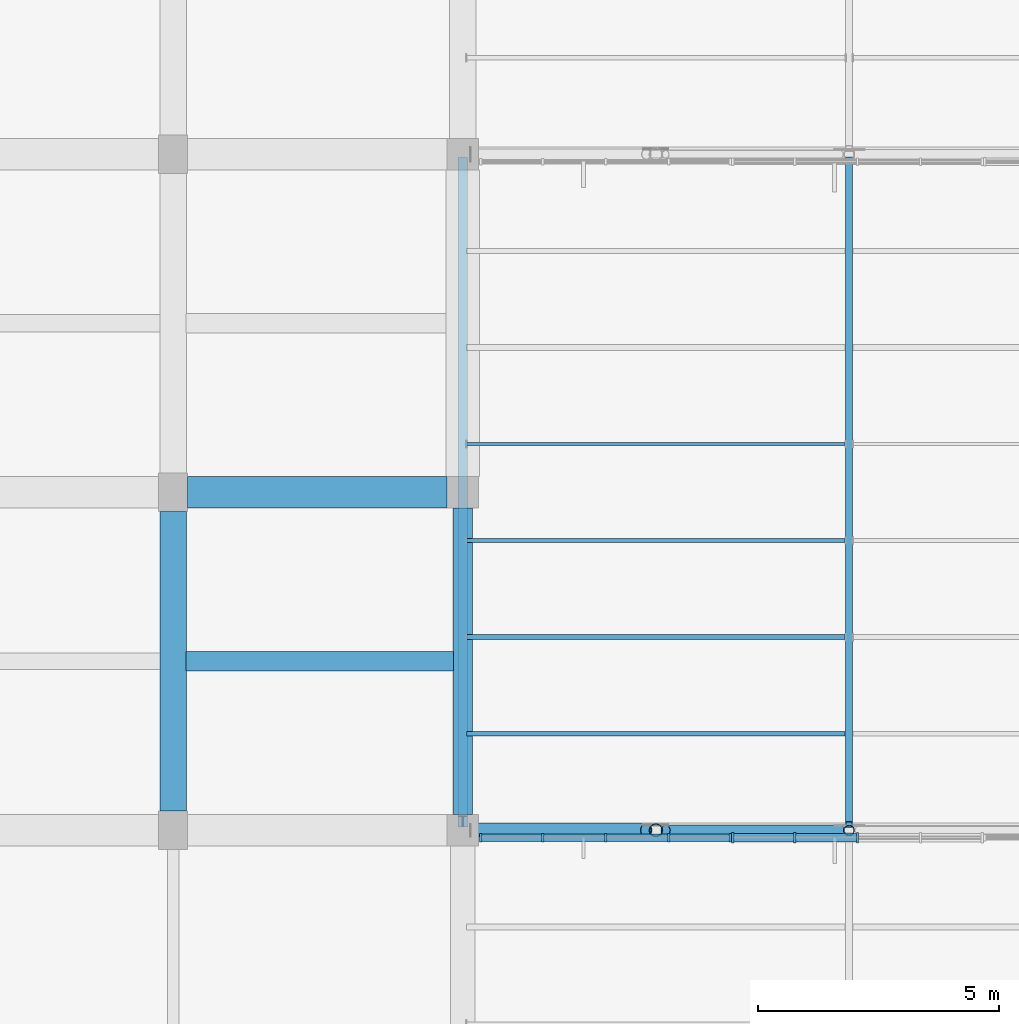
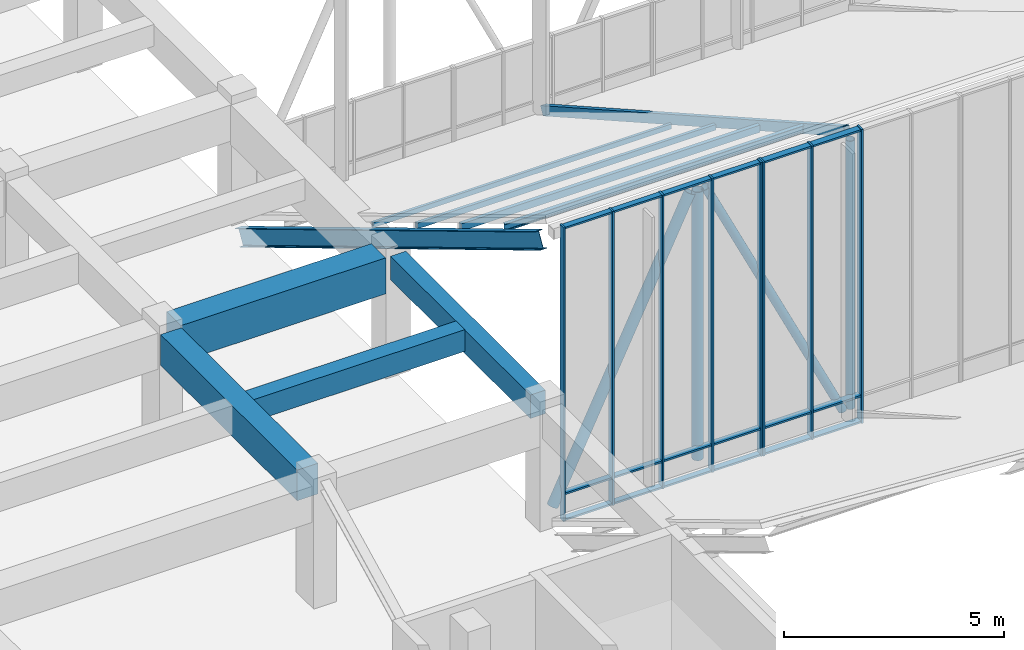
# One storey, part 50 of 155: 35 members, 5 beams, 2 elements without a shape of their own.
"""IFC4 building model written with IfcOpenShell, lengths in metres."""

import ifcopenshell
import ifcopenshell.guid

model = None  # the IFC model being written
_history = None  # IfcOwnerHistory: only IFC2X3 demands one
_inside = {}  # id of a spatial element -> (the spatial element, [elements in it])
_under = {}  # id of a project, library or spatial element -> (it, [spatial elements below it])
_declared = {}  # id of a project -> (the project, [libraries it declares])
_typed = {}  # id of a type object -> (the type object, [elements of that type])
_made_of = {}  # id of a material, layer set ... -> (it, [elements and type objects made of it])


def new_model(schema):
    """Start an empty IFC model of exactly this schema.

    Asked for "IFC4X3", IfcOpenShell would pick the latest addendum, in which some entities
    have other attributes; the version numbers below select the first issue.
    IFC2X3 requires an IfcOwnerHistory on every rooted entity: one is made here for all.
    """
    global model, _history
    if schema == "IFC4X3":
        model = ifcopenshell.file(schema_version=(4, 3, 0, 0))
    else:
        model = ifcopenshell.file(schema=schema)
    _inside.clear()
    _under.clear()
    _declared.clear()
    _typed.clear()
    _made_of.clear()
    _history = None
    if model.schema == "IFC2X3":
        org = make("IfcOrganization", Name="unknown")
        user = make(
            "IfcPersonAndOrganization",
            ThePerson=make("IfcPerson", FamilyName="unknown"),
            TheOrganization=org,
        )
        app = make(
            "IfcApplication",
            ApplicationDeveloper=org,
            Version="unknown",
            ApplicationFullName="unknown",
            ApplicationIdentifier="unknown",
        )
        _history = make(
            "IfcOwnerHistory",
            OwningUser=user,
            OwningApplication=app,
            ChangeAction="ADDED",
            CreationDate=0,
        )
    return model


def make(cls, **values):
    """One entity of the class cls with the attributes given. An attribute that is None is left unset."""
    return model.create_entity(
        cls, **{name: value for name, value in values.items() if value is not None}
    )


def rooted(cls, **values):
    """An entity with a GlobalId (a new one), such as an element, a storey or a relation."""
    return make(cls, GlobalId=ifcopenshell.guid.new(), OwnerHistory=_history, **values)


def si_unit(unit_type, name, prefix=None):
    """IfcSIUnit, for example si_unit("LENGTHUNIT", "METRE", prefix="MILLI")."""
    return make("IfcSIUnit", UnitType=unit_type, Prefix=prefix, Name=name)


def assignment(units):
    """IfcUnitAssignment: the units of a project."""
    return None if units is None else make("IfcUnitAssignment", Units=units)


def point(xyz):
    """IfcCartesianPoint."""
    return None if xyz is None else make("IfcCartesianPoint", Coordinates=xyz)


def direction(xyz):
    """IfcDirection."""
    return None if xyz is None else make("IfcDirection", DirectionRatios=xyz)


def frame(location, z_axis=None, x_axis=None):
    """IfcAxis2Placement3D, a coordinate frame: its origin and axes. An axis left out is left unset."""
    return make(
        "IfcAxis2Placement3D",
        Location=point(location),
        Axis=direction(z_axis),
        RefDirection=direction(x_axis),
    )


def frame_2d(location, x_axis=None):
    """IfcAxis2Placement2D, a coordinate frame in the plane: its origin and x axis."""
    return make(
        "IfcAxis2Placement2D", Location=point(location), RefDirection=direction(x_axis)
    )


def origin():
    """The frame at (0, 0, 0) with its axes left unset."""
    return frame((0.0, 0.0, 0.0))


def origin_2d():
    """The frame at (0, 0) in the plane with its x axis left unset."""
    return frame_2d((0.0, 0.0))


def place(relative_to, where):
    """IfcLocalPlacement: puts the frame where relative to a parent placement (None: the world)."""
    return make(
        "IfcLocalPlacement", PlacementRelTo=relative_to, RelativePlacement=where
    )


def context(
    kind, dimensions, precision=None, world=None, true_north=None, identifier=None
):
    """IfcGeometricRepresentationContext, for example the 3D "Model" context."""
    return make(
        "IfcGeometricRepresentationContext",
        ContextIdentifier=identifier,
        ContextType=kind,
        CoordinateSpaceDimension=dimensions,
        Precision=precision,
        WorldCoordinateSystem=world,
        TrueNorth=true_north,
    )


def subcontext(parent, identifier, kind, view, scale=None):
    """IfcGeometricRepresentationSubContext, for example "Body" below "Model"."""
    return make(
        "IfcGeometricRepresentationSubContext",
        ContextIdentifier=identifier,
        ContextType=kind,
        ParentContext=parent,
        TargetScale=scale,
        TargetView=view,
    )


def project(units=None, contexts=None):
    """IfcProject with its units and contexts."""
    return rooted(
        "IfcProject",
        Name="project",
        RepresentationContexts=contexts,
        UnitsInContext=assignment(units),
    )


def spatial(cls, under=None, at=None, **own):
    """A site, building, storey or space (cls), placed at a placement, below another one or the project."""
    s = rooted(cls, ObjectPlacement=at, **own)
    if under is not None:
        _under.setdefault(under.id(), (under, []))[1].append(s)
    return s


def profile(cls, at=None, kind="AREA", **sizes):
    """A parametric profile (cls). Its sizes go by their IFC names, for example OverallWidth=200.0."""
    return make(cls, ProfileType=kind, Position=at, **sizes)


def rectangle(**sizes):
    """IfcRectangleProfileDef."""
    return profile("IfcRectangleProfileDef", **sizes)


def hollow_rectangle(**sizes):
    """IfcRectangleHollowProfileDef."""
    return profile("IfcRectangleHollowProfileDef", **sizes)


def hollow_circle(**sizes):
    """IfcCircleHollowProfileDef."""
    return profile("IfcCircleHollowProfileDef", **sizes)


def i_section(**sizes):
    """IfcIShapeProfileDef."""
    return profile("IfcIShapeProfileDef", **sizes)


def extrude(swept, where, along, depth):
    """IfcExtrudedAreaSolid: the profile swept, set in the frame where, extruded along a direction by depth."""
    return make(
        "IfcExtrudedAreaSolid",
        SweptArea=swept,
        Position=where,
        ExtrudedDirection=direction(along),
        Depth=depth,
    )


def shape(context_of_items, identifier, shape_type, items):
    """IfcShapeRepresentation: the items that make up one representation, for example the "Body"."""
    return make(
        "IfcShapeRepresentation",
        ContextOfItems=context_of_items,
        RepresentationIdentifier=identifier,
        RepresentationType=shape_type,
        Items=items,
    )


def material(Name=None, Category=None):
    """IfcMaterial."""
    return make("IfcMaterial", Name=Name, Category=Category)


def material_profile(
    of_material, cross_section, Name=None, Category=None, Priority=None
):
    """IfcMaterialProfile: a cross section and its material."""
    return make(
        "IfcMaterialProfile",
        Name=Name,
        Material=of_material,
        Profile=cross_section,
        Priority=Priority,
        Category=Category,
    )


def profile_set(profiles, Name=None, composite=None):
    """IfcMaterialProfileSet."""
    return make(
        "IfcMaterialProfileSet",
        Name=Name,
        MaterialProfiles=profiles,
        CompositeProfile=composite,
    )


def made_of(thing, what):
    """Note that an element or type object is made of a material, layer set ...; save() writes the relation."""
    if what is not None:
        _made_of.setdefault(what.id(), (what, []))[1].append(thing)
    return thing


def type_object(cls, material=None, **own):
    """A type object (cls), such as IfcWallType, which elements share."""
    return made_of(rooted(cls, **own), material)


def element(
    cls,
    number,
    at=None,
    inside=None,
    cuts=None,
    type_object=None,
    material=None,
    context=None,
    identifier="Body",
    shape_type=None,
    held_by="IfcProductDefinitionShape",
    body=None,
    shapes=None,
    **own,
):
    """One element of the class cls, such as IfcWall. Its Tag is "e" and its number.

    at: its placement. inside: the storey or other place that contains it. cuts: it is an
    opening in that element (IfcRelVoidsElement). A single representation is given by context,
    identifier, shape_type and body (its items); several are given by shapes. held_by: the class
    of the entity that holds the representations. save() writes the other relations.
    """
    e = rooted(cls, Tag="e%d" % number, ObjectPlacement=at, **own)
    if body is not None:
        shapes = [shape(context, identifier, shape_type, body)]
    if shapes is not None:
        e.Representation = make(held_by, Representations=shapes)
    if inside is not None:
        _inside.setdefault(inside.id(), (inside, []))[1].append(e)
    if cuts is not None:
        rooted(
            "IfcRelVoidsElement", RelatingBuildingElement=cuts, RelatedOpeningElement=e
        )
    if type_object is not None:
        _typed.setdefault(type_object.id(), (type_object, []))[1].append(e)
    return made_of(e, material)


def aggregate(whole, parts):
    """IfcRelAggregates: a whole, such as a stair, and the parts it consists of."""
    return rooted("IfcRelAggregates", RelatingObject=whole, RelatedObjects=parts)


def save(model, path):
    """Write the relations noted so far, then the file.

    IfcRelAggregates (storeys below a building ...), IfcRelContainedInSpatialStructure (elements
    in a storey), IfcRelDefinesByType, IfcRelAssociatesMaterial and IfcRelDeclares: one each for
    every whole, place, type object, material and project.
    """
    for whole, parts in _under.values():
        aggregate(whole, parts)
    for where, things in _inside.values():
        rooted(
            "IfcRelContainedInSpatialStructure",
            RelatedElements=things,
            RelatingStructure=where,
        )
    for kind, things in _typed.values():
        rooted("IfcRelDefinesByType", RelatedObjects=things, RelatingType=kind)
    for what, things in _made_of.values():
        rooted("IfcRelAssociatesMaterial", RelatedObjects=things, RelatingMaterial=what)
    for by, libraries in _declared.values():
        rooted("IfcRelDeclares", RelatingContext=by, RelatedDefinitions=libraries)
    model.write(path)


model = new_model("IFC4")

# Units and contexts
model_context = context("Model", 3, precision=1e-05, world=origin(), true_north=direction((0.0, 1.0)))
body_context = subcontext(model_context, "Body", "Model", "MODEL_VIEW")
ifc_project = project(units=[si_unit("LENGTHUNIT", "METRE"), si_unit("AREAUNIT", "SQUARE_METRE"), si_unit("VOLUMEUNIT", "CUBIC_METRE"), si_unit("PLANEANGLEUNIT", "RADIAN"), si_unit("MASSUNIT", "GRAM", prefix="KILO")], contexts=[model_context])

# Site, building, storey
site_placement = place(None, origin())
site = spatial("IfcSite", under=ifc_project, at=site_placement, CompositionType="ELEMENT")
building_placement = place(site_placement, origin())
building = spatial("IfcBuilding", under=site, at=building_placement, Name="Larkveld Mobility Hub", CompositionType="ELEMENT")
storey_placement = place(building_placement, frame((0.0, 0.0, 8.39990234375)))
storey = spatial("IfcBuildingStorey", under=building, at=storey_placement, Name="L02", CompositionType="ELEMENT", Elevation=8.39990234375)

# Beams
ifc_material_1 = material(Name="Concrete C40/50", Category="concrete")
ifc_material_profile_1 = material_profile(ifc_material_1, rectangle(XDim=0.39990234375, YDim=0.60009765625, at=origin_2d()), Name="RC BM 400x600")
ifc_profile_set_1 = profile_set([ifc_material_profile_1], Name="Concrete C40/50")
beam_type_1 = type_object("IfcBeamType", Name="BM-RC4060", PredefinedType="BEAM", material=ifc_profile_set_1)
beam_1_placement = place(storey_placement, frame((146.27001953125, 73.5, 3.070068359375), z_axis=(1.0, 0.0, 0.0), x_axis=(0.0, 1.0, 0.0)))
element("IfcBeam", 1, at=beam_1_placement, inside=storey, type_object=beam_type_1, Name="Concourse Spine Joist L02-1093", PredefinedType="BEAM", context=body_context, shape_type="SweptSolid", body=[
    extrude(rectangle(XDim=0.39990234375, YDim=0.60009765625, at=origin_2d()), origin(), (0.0, 0.0, 1.0), 5.534912109375),
])
ifc_material_profile_2 = material_profile(ifc_material_1, rectangle(XDim=0.39990234375, YDim=0.64990234375, at=origin_2d()), Name="RC BM 400x650")
ifc_profile_set_2 = profile_set([ifc_material_profile_2], Name="Concrete C40/50")
beam_type_2 = type_object("IfcBeamType", Name="BM-RC4065", PredefinedType="BEAM", material=ifc_profile_set_2)
beam_2_placement = place(storey_placement, frame((152.0, 70.324951171875, 3.03515625), z_axis=(0.0, 1.0, 0.0), x_axis=(-1.0, 0.0, 0.0)))
element("IfcBeam", 2, at=beam_2_placement, inside=storey, type_object=beam_type_2, Name="Primary N-S Girder L02-0680", PredefinedType="BEAM", context=body_context, shape_type="SweptSolid", body=[
    extrude(rectangle(XDim=0.39990234375, YDim=0.64990234375, at=origin_2d()), origin(), (0.0, 0.0, 1.0), 6.35009765625),
])
ifc_material_profile_3 = material_profile(ifc_material_1, rectangle(XDim=0.550048828125, YDim=0.85009765625, at=origin_2d()), Name="RC BM 550x850")
ifc_profile_set_3 = profile_set([ifc_material_profile_3], Name="Concrete C40/50")
beam_type_3 = type_object("IfcBeamType", Name="BM-RC5585", PredefinedType="BEAM", material=ifc_profile_set_3)
beam_3_placement = place(storey_placement, frame((146.0, 70.39990234375, 2.93505859375), z_axis=(0.0, 1.0, 0.0), x_axis=(-1.0, 0.0, 0.0)))
element("IfcBeam", 3, at=beam_3_placement, inside=storey, type_object=beam_type_3, Name="Primary N-S Girder L02-0665", PredefinedType="BEAM", context=body_context, shape_type="SweptSolid", body=[
    extrude(rectangle(XDim=0.550048828125, YDim=0.85009765625, at=origin_2d()), origin(), (0.0, 0.0, 1.0), 6.2001953125),
])
ifc_material_profile_4 = material_profile(ifc_material_1, rectangle(XDim=0.64990234375, YDim=1.0, at=origin_2d()), Name="RC BM 650x1000")
ifc_profile_set_4 = profile_set([ifc_material_profile_4], Name="Concrete C40/50")
beam_type_4 = type_object("IfcBeamType", Name="BM-RC65100", PredefinedType="BEAM", material=ifc_profile_set_4)
beam_4_placement = place(storey_placement, frame((146.300048828125, 77.0, 2.860107421875), z_axis=(1.0, 0.0, 0.0), x_axis=(0.0, 1.0, 0.0)))
element("IfcBeam", 4, at=beam_4_placement, inside=storey, type_object=beam_type_4, Name="Primary E-W Girder L02-0525", PredefinedType="BEAM", context=body_context, shape_type="SweptSolid", body=[
    extrude(rectangle(XDim=0.64990234375, YDim=1.0, at=origin_2d()), origin(), (0.0, 0.0, 1.0), 5.375),
])
ifc_material_2 = material(Name="Steel S355JR", Category="steel")
ifc_material_profile_5 = material_profile(ifc_material_2, i_section(OverallWidth=0.18994140625, OverallDepth=0.449951171875, WebThickness=0.009521484375, FlangeThickness=0.0146484375, FilletRadius=0.02099609375, at=origin_2d()), Name="IPE 450")
ifc_profile_set_5 = profile_set([ifc_material_profile_5], Name="Steel S355JR")
beam_type_5 = type_object("IfcBeamType", Name="BM-STIPE450", PredefinedType="BEAM", material=ifc_profile_set_5)
beam_5_placement = place(storey_placement, frame((152.0, 70.179931640625, 7.68408203125), z_axis=(0.0, 0.857492925713, -0.514495755428), x_axis=(-1.0, 0.0, 0.0)))
element("IfcBeam", 5, at=beam_5_placement, inside=storey, type_object=beam_type_5, Name="ROOF TRUSS Sawtooth Edge Rafter B4-152", PredefinedType="BEAM", context=body_context, shape_type="SweptSolid", body=[
    extrude(i_section(OverallWidth=0.18994140625, OverallDepth=0.449951171875, WebThickness=0.009521484375, FlangeThickness=0.0146484375, FilletRadius=0.02099609375, at=origin_2d()), origin(), (0.0, 0.0, 1.0), 15.906982421875),
])

# Curtain wall, members
ifc_material_3 = material(Name="Anodised aluminium 6063-T6", Category="aluminium")
curtain_wall_type_1 = type_object("IfcCurtainWallType", Name="CW-SYS-02", PredefinedType="NOTDEFINED", material=ifc_material_3)
curtain_wall_1_placement = place(storey_placement, origin())
curtain_wall_1 = element("IfcCurtainWall", 6, at=curtain_wall_1_placement, inside=storey, type_object=curtain_wall_type_1, Name="Sawtooth South-Light Clerestory B4 CW-026", PredefinedType="NOTDEFINED")
ifc_material_profile_6 = material_profile(ifc_material_3, rectangle(XDim=0.050048828125, YDim=0.179931640625, at=origin_2d()), Name="ALU MULL 50x180")
ifc_profile_set_6 = profile_set([ifc_material_profile_6], Name="Anodised aluminium 6063-T6")
member_type_1 = type_object("IfcMemberType", Name="CW-MUL-02", PredefinedType="MULLION", material=ifc_profile_set_6)
member_1_placement = place(storey_placement, frame((152.375, 69.844970703125, -0.001953125), z_axis=(0.0, 0.0, 1.0), x_axis=(1.0, 0.0, 0.0)))
member_1 = element("IfcMember", 7, at=member_1_placement, type_object=member_type_1, Name="CW02 mullion 1", PredefinedType="MULLION", context=body_context, shape_type="SweptSolid", body=[
    extrude(rectangle(XDim=0.050048828125, YDim=0.179931640625, at=origin_2d()), origin(), (0.0, 0.0, 1.0), 8.152099609375),
])
member_2_placement = place(storey_placement, frame((153.654052734375, 69.844970703125, -0.001953125), z_axis=(0.0, 0.0, 1.0), x_axis=(1.0, 0.0, 0.0)))
member_2 = element("IfcMember", 8, at=member_2_placement, type_object=member_type_1, Name="CW02 mullion 2", PredefinedType="MULLION", context=body_context, shape_type="SweptSolid", body=[
    extrude(rectangle(XDim=0.050048828125, YDim=0.179931640625, at=origin_2d()), origin(), (0.0, 0.0, 1.0), 8.152099609375),
])
member_3_placement = place(storey_placement, frame((154.9580078125, 69.844970703125, -0.001953125), z_axis=(0.0, 0.0, 1.0), x_axis=(1.0, 0.0, 0.0)))
member_3 = element("IfcMember", 9, at=member_3_placement, type_object=member_type_1, Name="CW02 mullion 3", PredefinedType="MULLION", context=body_context, shape_type="SweptSolid", body=[
    extrude(rectangle(XDim=0.050048828125, YDim=0.179931640625, at=origin_2d()), origin(), (0.0, 0.0, 1.0), 8.152099609375),
])
member_4_placement = place(storey_placement, frame((156.261962890625, 69.844970703125, -0.001953125), z_axis=(0.0, 0.0, 1.0), x_axis=(1.0, 0.0, 0.0)))
member_4 = element("IfcMember", 10, at=member_4_placement, type_object=member_type_1, Name="CW02 mullion 4", PredefinedType="MULLION", context=body_context, shape_type="SweptSolid", body=[
    extrude(rectangle(XDim=0.050048828125, YDim=0.179931640625, at=origin_2d()), origin(), (0.0, 0.0, 1.0), 8.152099609375),
])
member_5_placement = place(storey_placement, frame((157.5419921875, 69.844970703125, -0.001953125), z_axis=(0.0, 0.0, 1.0), x_axis=(1.0, 0.0, 0.0)))
member_5 = element("IfcMember", 11, at=member_5_placement, type_object=member_type_1, Name="CW02 mullion 5", PredefinedType="MULLION", context=body_context, shape_type="SweptSolid", body=[
    extrude(rectangle(XDim=0.050048828125, YDim=0.179931640625, at=origin_2d()), origin(), (0.0, 0.0, 1.0), 8.152099609375),
])

curtain_wall_type_2 = type_object("IfcCurtainWallType", Name="CW-SYS-03", PredefinedType="NOTDEFINED", material=ifc_material_3)
curtain_wall_2_placement = place(storey_placement, origin())
curtain_wall_2 = element("IfcCurtainWall", 12, at=curtain_wall_2_placement, inside=storey, type_object=curtain_wall_type_2, Name="Sawtooth South-Light Clerestory B4 CW-027", PredefinedType="NOTDEFINED")
ifc_material_profile_7 = material_profile(ifc_material_3, rectangle(XDim=0.050048828125, YDim=0.2099609375, at=origin_2d()), Name="ALU MULL 50x210")
ifc_profile_set_7 = profile_set([ifc_material_profile_7], Name="Anodised aluminium 6063-T6")
member_type_2 = type_object("IfcMemberType", Name="CW-MUL-03", PredefinedType="MULLION", material=ifc_profile_set_7)
member_6_placement = place(storey_placement, frame((157.592041015625, 69.844970703125, -0.001953125), z_axis=(0.0, 0.0, 1.0), x_axis=(1.0, 0.0, 0.0)))
member_6 = element("IfcMember", 13, at=member_6_placement, type_object=member_type_2, Name="CW03 mullion 1", PredefinedType="MULLION", context=body_context, shape_type="SweptSolid", body=[
    extrude(rectangle(XDim=0.050048828125, YDim=0.2099609375, at=origin_2d()), origin(), (0.0, 0.0, 1.0), 8.152099609375),
])
member_7_placement = place(storey_placement, frame((158.87109375, 69.844970703125, -0.001953125), z_axis=(0.0, 0.0, 1.0), x_axis=(1.0, 0.0, 0.0)))
member_7 = element("IfcMember", 14, at=member_7_placement, type_object=member_type_2, Name="CW03 mullion 2", PredefinedType="MULLION", context=body_context, shape_type="SweptSolid", body=[
    extrude(rectangle(XDim=0.050048828125, YDim=0.2099609375, at=origin_2d()), origin(), (0.0, 0.0, 1.0), 8.152099609375),
])
member_8_placement = place(storey_placement, frame((160.175048828125, 69.844970703125, -0.001953125), z_axis=(0.0, 0.0, 1.0), x_axis=(1.0, 0.0, 0.0)))
member_8 = element("IfcMember", 15, at=member_8_placement, type_object=member_type_2, Name="CW03 mullion 3", PredefinedType="MULLION", context=body_context, shape_type="SweptSolid", body=[
    extrude(rectangle(XDim=0.050048828125, YDim=0.2099609375, at=origin_2d()), origin(), (0.0, 0.0, 1.0), 8.152099609375),
])

# Member
ifc_material_profile_8 = material_profile(ifc_material_3, rectangle(XDim=0.14990234375, YDim=0.050048828125, at=origin_2d()), Name="ALU TRAN 50x150")
ifc_profile_set_8 = profile_set([ifc_material_profile_8], Name="Anodised aluminium 6063-T6")
member_type_3 = type_object("IfcMemberType", Name="CW-TRN-02", PredefinedType="USERDEFINED", material=ifc_profile_set_8)
member_9_placement = place(storey_placement, frame((152.385009765625, 69.844970703125, 0.030029296875), z_axis=(1.0, 0.0, 0.0), x_axis=(0.0, 1.0, 0.0)))
member_9 = element("IfcMember", 16, at=member_9_placement, type_object=member_type_3, Name="CW02 transom 1.1", ObjectType="TRANSOM", PredefinedType="USERDEFINED", context=body_context, shape_type="SweptSolid", body=[
    extrude(rectangle(XDim=0.14990234375, YDim=0.050048828125, at=origin_2d()), origin(), (0.0, 0.0, 1.0), 1.25390625),
])

member_10_placement = place(storey_placement, frame((152.385009765625, 69.844970703125, 0.75), z_axis=(1.0, 0.0, 0.0), x_axis=(0.0, 1.0, 0.0)))
member_10 = element("IfcMember", 17, at=member_10_placement, type_object=member_type_3, Name="CW02 transom 1.2", ObjectType="TRANSOM", PredefinedType="USERDEFINED", context=body_context, shape_type="SweptSolid", body=[
    extrude(rectangle(XDim=0.14990234375, YDim=0.050048828125, at=origin_2d()), origin(), (0.0, 0.0, 1.0), 1.25390625),
])

member_11_placement = place(storey_placement, frame((152.385009765625, 69.844970703125, 8.1181640625), z_axis=(1.0, 0.0, 0.0), x_axis=(0.0, 1.0, 0.0)))
member_11 = element("IfcMember", 18, at=member_11_placement, type_object=member_type_3, Name="CW02 transom 1.3", ObjectType="TRANSOM", PredefinedType="USERDEFINED", context=body_context, shape_type="SweptSolid", body=[
    extrude(rectangle(XDim=0.14990234375, YDim=0.050048828125, at=origin_2d()), origin(), (0.0, 0.0, 1.0), 1.25390625),
])

member_12_placement = place(storey_placement, frame((153.6689453125, 69.844970703125, 0.030029296875), z_axis=(1.0, 0.0, 0.0), x_axis=(0.0, 1.0, 0.0)))
member_12 = element("IfcMember", 19, at=member_12_placement, type_object=member_type_3, Name="CW02 transom 2.1", ObjectType="TRANSOM", PredefinedType="USERDEFINED", context=body_context, shape_type="SweptSolid", body=[
    extrude(rectangle(XDim=0.14990234375, YDim=0.050048828125, at=origin_2d()), origin(), (0.0, 0.0, 1.0), 1.274169921875),
])

member_13_placement = place(storey_placement, frame((153.6689453125, 69.844970703125, 0.75), z_axis=(1.0, 0.0, 0.0), x_axis=(0.0, 1.0, 0.0)))
member_13 = element("IfcMember", 20, at=member_13_placement, type_object=member_type_3, Name="CW02 transom 2.2", ObjectType="TRANSOM", PredefinedType="USERDEFINED", context=body_context, shape_type="SweptSolid", body=[
    extrude(rectangle(XDim=0.14990234375, YDim=0.050048828125, at=origin_2d()), origin(), (0.0, 0.0, 1.0), 1.274169921875),
])

member_14_placement = place(storey_placement, frame((153.6689453125, 69.844970703125, 8.1181640625), z_axis=(1.0, 0.0, 0.0), x_axis=(0.0, 1.0, 0.0)))
member_14 = element("IfcMember", 21, at=member_14_placement, type_object=member_type_3, Name="CW02 transom 2.3", ObjectType="TRANSOM", PredefinedType="USERDEFINED", context=body_context, shape_type="SweptSolid", body=[
    extrude(rectangle(XDim=0.14990234375, YDim=0.050048828125, at=origin_2d()), origin(), (0.0, 0.0, 1.0), 1.274169921875),
])

member_15_placement = place(storey_placement, frame((154.972900390625, 69.844970703125, 0.030029296875), z_axis=(1.0, 0.0, 0.0), x_axis=(0.0, 1.0, 0.0)))
member_15 = element("IfcMember", 22, at=member_15_placement, type_object=member_type_3, Name="CW02 transom 3.1", ObjectType="TRANSOM", PredefinedType="USERDEFINED", context=body_context, shape_type="SweptSolid", body=[
    extrude(rectangle(XDim=0.14990234375, YDim=0.050048828125, at=origin_2d()), origin(), (0.0, 0.0, 1.0), 1.275146484375),
])

member_16_placement = place(storey_placement, frame((154.972900390625, 69.844970703125, 0.75), z_axis=(1.0, 0.0, 0.0), x_axis=(0.0, 1.0, 0.0)))
member_16 = element("IfcMember", 23, at=member_16_placement, type_object=member_type_3, Name="CW02 transom 3.2", ObjectType="TRANSOM", PredefinedType="USERDEFINED", context=body_context, shape_type="SweptSolid", body=[
    extrude(rectangle(XDim=0.14990234375, YDim=0.050048828125, at=origin_2d()), origin(), (0.0, 0.0, 1.0), 1.275146484375),
])

member_17_placement = place(storey_placement, frame((154.972900390625, 69.844970703125, 8.1181640625), z_axis=(1.0, 0.0, 0.0), x_axis=(0.0, 1.0, 0.0)))
member_17 = element("IfcMember", 24, at=member_17_placement, type_object=member_type_3, Name="CW02 transom 3.3", ObjectType="TRANSOM", PredefinedType="USERDEFINED", context=body_context, shape_type="SweptSolid", body=[
    extrude(rectangle(XDim=0.14990234375, YDim=0.050048828125, at=origin_2d()), origin(), (0.0, 0.0, 1.0), 1.275146484375),
])

member_18_placement = place(storey_placement, frame((156.278076171875, 69.844970703125, 0.030029296875), z_axis=(1.0, 0.0, 0.0), x_axis=(0.0, 1.0, 0.0)))
member_18 = element("IfcMember", 25, at=member_18_placement, type_object=member_type_3, Name="CW02 transom 4.1", ObjectType="TRANSOM", PredefinedType="USERDEFINED", context=body_context, shape_type="SweptSolid", body=[
    extrude(rectangle(XDim=0.14990234375, YDim=0.050048828125, at=origin_2d()), origin(), (0.0, 0.0, 1.0), 1.25390625),
])

member_19_placement = place(storey_placement, frame((156.278076171875, 69.844970703125, 0.75), z_axis=(1.0, 0.0, 0.0), x_axis=(0.0, 1.0, 0.0)))
member_19 = element("IfcMember", 26, at=member_19_placement, type_object=member_type_3, Name="CW02 transom 4.2", ObjectType="TRANSOM", PredefinedType="USERDEFINED", context=body_context, shape_type="SweptSolid", body=[
    extrude(rectangle(XDim=0.14990234375, YDim=0.050048828125, at=origin_2d()), origin(), (0.0, 0.0, 1.0), 1.25390625),
])

member_20_placement = place(storey_placement, frame((156.278076171875, 69.844970703125, 8.1181640625), z_axis=(1.0, 0.0, 0.0), x_axis=(0.0, 1.0, 0.0)))
member_20 = element("IfcMember", 27, at=member_20_placement, type_object=member_type_3, Name="CW02 transom 4.3", ObjectType="TRANSOM", PredefinedType="USERDEFINED", context=body_context, shape_type="SweptSolid", body=[
    extrude(rectangle(XDim=0.14990234375, YDim=0.050048828125, at=origin_2d()), origin(), (0.0, 0.0, 1.0), 1.25390625),
])

aggregate(curtain_wall_1, [member_1, member_2, member_3, member_4, member_5, member_9, member_10, member_11, member_12, member_13, member_14, member_15, member_16, member_17, member_18, member_19, member_20])

ifc_material_profile_9 = material_profile(ifc_material_3, rectangle(XDim=0.169921875, YDim=0.050048828125, at=origin_2d()), Name="ALU TRAN 50x170")
ifc_profile_set_9 = profile_set([ifc_material_profile_9], Name="Anodised aluminium 6063-T6")
member_type_4 = type_object("IfcMemberType", Name="CW-TRN-03", PredefinedType="USERDEFINED", material=ifc_profile_set_9)
member_21_placement = place(storey_placement, frame((157.60205078125, 69.844970703125, 0.030029296875), z_axis=(1.0, 0.0, 0.0), x_axis=(0.0, 1.0, 0.0)))
member_21 = element("IfcMember", 28, at=member_21_placement, type_object=member_type_4, Name="CW03 transom 1.1", ObjectType="TRANSOM", PredefinedType="USERDEFINED", context=body_context, shape_type="SweptSolid", body=[
    extrude(rectangle(XDim=0.169921875, YDim=0.050048828125, at=origin_2d()), origin(), (0.0, 0.0, 1.0), 1.25390625),
])

member_22_placement = place(storey_placement, frame((157.60205078125, 69.844970703125, 0.75), z_axis=(1.0, 0.0, 0.0), x_axis=(0.0, 1.0, 0.0)))
member_22 = element("IfcMember", 29, at=member_22_placement, type_object=member_type_4, Name="CW03 transom 1.2", ObjectType="TRANSOM", PredefinedType="USERDEFINED", context=body_context, shape_type="SweptSolid", body=[
    extrude(rectangle(XDim=0.169921875, YDim=0.050048828125, at=origin_2d()), origin(), (0.0, 0.0, 1.0), 1.25390625),
])

member_23_placement = place(storey_placement, frame((157.60205078125, 69.844970703125, 8.1181640625), z_axis=(1.0, 0.0, 0.0), x_axis=(0.0, 1.0, 0.0)))
member_23 = element("IfcMember", 30, at=member_23_placement, type_object=member_type_4, Name="CW03 transom 1.3", ObjectType="TRANSOM", PredefinedType="USERDEFINED", context=body_context, shape_type="SweptSolid", body=[
    extrude(rectangle(XDim=0.169921875, YDim=0.050048828125, at=origin_2d()), origin(), (0.0, 0.0, 1.0), 1.25390625),
])

member_24_placement = place(storey_placement, frame((158.885986328125, 69.844970703125, 0.030029296875), z_axis=(1.0, 0.0, 0.0), x_axis=(0.0, 1.0, 0.0)))
member_24 = element("IfcMember", 31, at=member_24_placement, type_object=member_type_4, Name="CW03 transom 2.1", ObjectType="TRANSOM", PredefinedType="USERDEFINED", context=body_context, shape_type="SweptSolid", body=[
    extrude(rectangle(XDim=0.169921875, YDim=0.050048828125, at=origin_2d()), origin(), (0.0, 0.0, 1.0), 1.27392578125),
])

member_25_placement = place(storey_placement, frame((158.885986328125, 69.844970703125, 0.75), z_axis=(1.0, 0.0, 0.0), x_axis=(0.0, 1.0, 0.0)))
member_25 = element("IfcMember", 32, at=member_25_placement, type_object=member_type_4, Name="CW03 transom 2.2", ObjectType="TRANSOM", PredefinedType="USERDEFINED", context=body_context, shape_type="SweptSolid", body=[
    extrude(rectangle(XDim=0.169921875, YDim=0.050048828125, at=origin_2d()), origin(), (0.0, 0.0, 1.0), 1.27392578125),
])

member_26_placement = place(storey_placement, frame((158.885986328125, 69.844970703125, 8.1181640625), z_axis=(1.0, 0.0, 0.0), x_axis=(0.0, 1.0, 0.0)))
member_26 = element("IfcMember", 33, at=member_26_placement, type_object=member_type_4, Name="CW03 transom 2.3", ObjectType="TRANSOM", PredefinedType="USERDEFINED", context=body_context, shape_type="SweptSolid", body=[
    extrude(rectangle(XDim=0.169921875, YDim=0.050048828125, at=origin_2d()), origin(), (0.0, 0.0, 1.0), 1.27392578125),
])

aggregate(curtain_wall_2, [member_6, member_7, member_8, member_21, member_22, member_23, member_24, member_25, member_26])

# Members
ifc_material_profile_10 = material_profile(ifc_material_2, hollow_circle(Radius=0.109619140625, WallThickness=0.010009765625, at=origin_2d()), Name="CHS 219.1x10")
ifc_profile_set_10 = profile_set([ifc_material_profile_10], Name="Steel S355JR")
member_type_5 = type_object("IfcMemberType", Name="MB-BR-CHS219", PredefinedType="BRACE", material=ifc_profile_set_10)
member_27_placement = place(storey_placement, frame((156.199951171875, 70.0, 7.800048828125), z_axis=(0.435573281392, 0.0, -0.900153273914), x_axis=(0.0, 1.0, 0.0)))
element("IfcMember", 34, at=member_27_placement, inside=storey, type_object=member_type_5, Name="ROOF TRUSS T4 Web Diagonal 2", PredefinedType="BRACE", context=body_context, shape_type="SweptSolid", body=[
    extrude(hollow_circle(Radius=0.109619140625, WallThickness=0.010009765625, at=origin_2d()), origin(), (0.0, 0.0, 1.0), 8.26513671875),
])
member_28_placement = place(storey_placement, frame((160.0, 70.0, 0.360107421875), z_axis=(0.0, 0.0, 1.0), x_axis=(1.0, 0.0, 0.0)))
element("IfcMember", 35, at=member_28_placement, inside=storey, type_object=member_type_5, Name="ROOF TRUSS T4 Vertical Post 2", PredefinedType="BRACE", context=body_context, shape_type="SweptSolid", body=[
    extrude(hollow_circle(Radius=0.109619140625, WallThickness=0.010009765625, at=origin_2d()), origin(), (0.0, 0.0, 1.0), 7.43994140625),
])
ifc_material_profile_11 = material_profile(ifc_material_2, hollow_circle(Radius=0.136474609375, WallThickness=0.012451171875, at=origin_2d()), Name="CHS 273x12.5")
ifc_profile_set_11 = profile_set([ifc_material_profile_11], Name="Steel S355JR")
member_type_6 = type_object("IfcMemberType", Name="MB-BR-CHS273", PredefinedType="BRACE", material=ifc_profile_set_11)
member_29_placement = place(storey_placement, frame((152.199951171875, 70.0, 0.360107421875), z_axis=(0.435573281392, 0.0, 0.900153273914), x_axis=(0.0, 1.0, 0.0)))
element("IfcMember", 36, at=member_29_placement, inside=storey, type_object=member_type_6, Name="ROOF TRUSS T4 Web Diagonal 1", PredefinedType="BRACE", context=body_context, shape_type="SweptSolid", body=[
    extrude(hollow_circle(Radius=0.136474609375, WallThickness=0.012451171875, at=origin_2d()), origin(), (0.0, 0.0, 1.0), 8.26513671875),
])
member_30_placement = place(storey_placement, frame((156.0, 70.0, 0.360107421875), z_axis=(0.0, 0.0, 1.0), x_axis=(1.0, 0.0, 0.0)))
element("IfcMember", 37, at=member_30_placement, inside=storey, type_object=member_type_6, Name="ROOF TRUSS T4 Vertical Post 1", PredefinedType="BRACE", context=body_context, shape_type="SweptSolid", body=[
    extrude(hollow_circle(Radius=0.136474609375, WallThickness=0.012451171875, at=origin_2d()), origin(), (0.0, 0.0, 1.0), 7.43994140625),
])
ifc_material_profile_12 = material_profile(ifc_material_2, hollow_rectangle(XDim=0.14990234375, YDim=0.25, WallThickness=0.010009765625, at=origin_2d()), Name="RHS 250x150x10")
ifc_profile_set_12 = profile_set([ifc_material_profile_12], Name="Steel S355JR")
member_type_7 = type_object("IfcMemberType", Name="MB-CH-RHS250", PredefinedType="CHORD", material=ifc_profile_set_12)
member_31_placement = place(storey_placement, frame((160.0, 70.1201171875, 7.9501953125), z_axis=(0.0, 0.870759014799, -0.491710014283), x_axis=(-1.0, 0.0, 0.0)))
element("IfcMember", 38, at=member_31_placement, inside=storey, type_object=member_type_7, Name="ROOF TRUSS Sloped Rafter Chord B4-160", PredefinedType="CHORD", context=body_context, shape_type="SweptSolid", body=[
    extrude(hollow_rectangle(XDim=0.14990234375, YDim=0.25, WallThickness=0.010009765625, at=origin_2d()), origin(), (0.0, 0.0, 1.0), 15.802001953125),
])
ifc_material_profile_13 = material_profile(ifc_material_2, i_section(OverallWidth=0.10009765625, OverallDepth=0.199951171875, WebThickness=0.005615234375, FlangeThickness=0.008544921875, FilletRadius=0.011962890625, at=origin_2d()), Name="IPE 200")
ifc_profile_set_13 = profile_set([ifc_material_profile_13], Name="Steel S355JR")
member_type_8 = type_object("IfcMemberType", Name="MB-PR-IPE200", PredefinedType="PURLIN", material=ifc_profile_set_13)
member_32_placement = place(storey_placement, frame((152.080078125, 72.0, 6.906982421875), z_axis=(1.0, 0.0, 0.0), x_axis=(0.0, 1.0, 0.0)))
element("IfcMember", 39, at=member_32_placement, inside=storey, type_object=member_type_8, Name="Sawtooth Roof Purlin B4-1.1", PredefinedType="PURLIN", context=body_context, shape_type="SweptSolid", body=[
    extrude(i_section(OverallWidth=0.10009765625, OverallDepth=0.199951171875, WebThickness=0.005615234375, FlangeThickness=0.008544921875, FilletRadius=0.011962890625, at=origin_2d()), origin(), (0.0, 0.0, 1.0), 7.83984375),
])
ifc_material_profile_14 = material_profile(ifc_material_2, hollow_rectangle(XDim=0.070068359375, YDim=0.139892578125, WallThickness=0.00634765625, at=origin_2d()), Name="RHS 140x70x6.3")
ifc_profile_set_14 = profile_set([ifc_material_profile_14], Name="Steel S355JR")
member_type_9 = type_object("IfcMemberType", Name="MB-PR-RHS140", PredefinedType="PURLIN", material=ifc_profile_set_14)
member_33_placement = place(storey_placement, frame((152.080078125, 78.0, 3.337158203125), z_axis=(1.0, 0.0, 0.0), x_axis=(0.0, 1.0, 0.0)))
element("IfcMember", 40, at=member_33_placement, inside=storey, type_object=member_type_9, Name="Sawtooth Roof Purlin B4-4.1", PredefinedType="PURLIN", context=body_context, shape_type="SweptSolid", body=[
    extrude(hollow_rectangle(XDim=0.070068359375, YDim=0.139892578125, WallThickness=0.00634765625, at=origin_2d()), origin(), (0.0, 0.0, 1.0), 7.83984375),
])
ifc_material_profile_15 = material_profile(ifc_material_2, hollow_rectangle(XDim=0.080078125, YDim=0.159912109375, WallThickness=0.008056640625, at=origin_2d()), Name="RHS 160x80x8")
ifc_profile_set_15 = profile_set([ifc_material_profile_15], Name="Steel S355JR")
member_type_10 = type_object("IfcMemberType", Name="MB-PR-RHS160", PredefinedType="PURLIN", material=ifc_profile_set_15)
member_34_placement = place(storey_placement, frame((152.080078125, 76.0, 4.527099609375), z_axis=(1.0, 0.0, 0.0), x_axis=(0.0, 1.0, 0.0)))
element("IfcMember", 41, at=member_34_placement, inside=storey, type_object=member_type_10, Name="Sawtooth Roof Purlin B4-3.1", PredefinedType="PURLIN", context=body_context, shape_type="SweptSolid", body=[
    extrude(hollow_rectangle(XDim=0.080078125, YDim=0.159912109375, WallThickness=0.008056640625, at=origin_2d()), origin(), (0.0, 0.0, 1.0), 7.83984375),
])
ifc_material_profile_16 = material_profile(ifc_material_2, hollow_rectangle(XDim=0.10009765625, YDim=0.199951171875, WallThickness=0.008056640625, at=origin_2d()), Name="RHS 200x100x8")
ifc_profile_set_16 = profile_set([ifc_material_profile_16], Name="Steel S355JR")
member_type_11 = type_object("IfcMemberType", Name="MB-PR-RHS200", PredefinedType="PURLIN", material=ifc_profile_set_16)
member_35_placement = place(storey_placement, frame((152.080078125, 74.0, 5.70703125), z_axis=(1.0, 0.0, 0.0), x_axis=(0.0, 1.0, 0.0)))
element("IfcMember", 42, at=member_35_placement, inside=storey, type_object=member_type_11, Name="Sawtooth Roof Purlin B4-2.1", PredefinedType="PURLIN", context=body_context, shape_type="SweptSolid", body=[
    extrude(hollow_rectangle(XDim=0.10009765625, YDim=0.199951171875, WallThickness=0.008056640625, at=origin_2d()), origin(), (0.0, 0.0, 1.0), 7.83984375),
])

save(model, "model.ifc")
